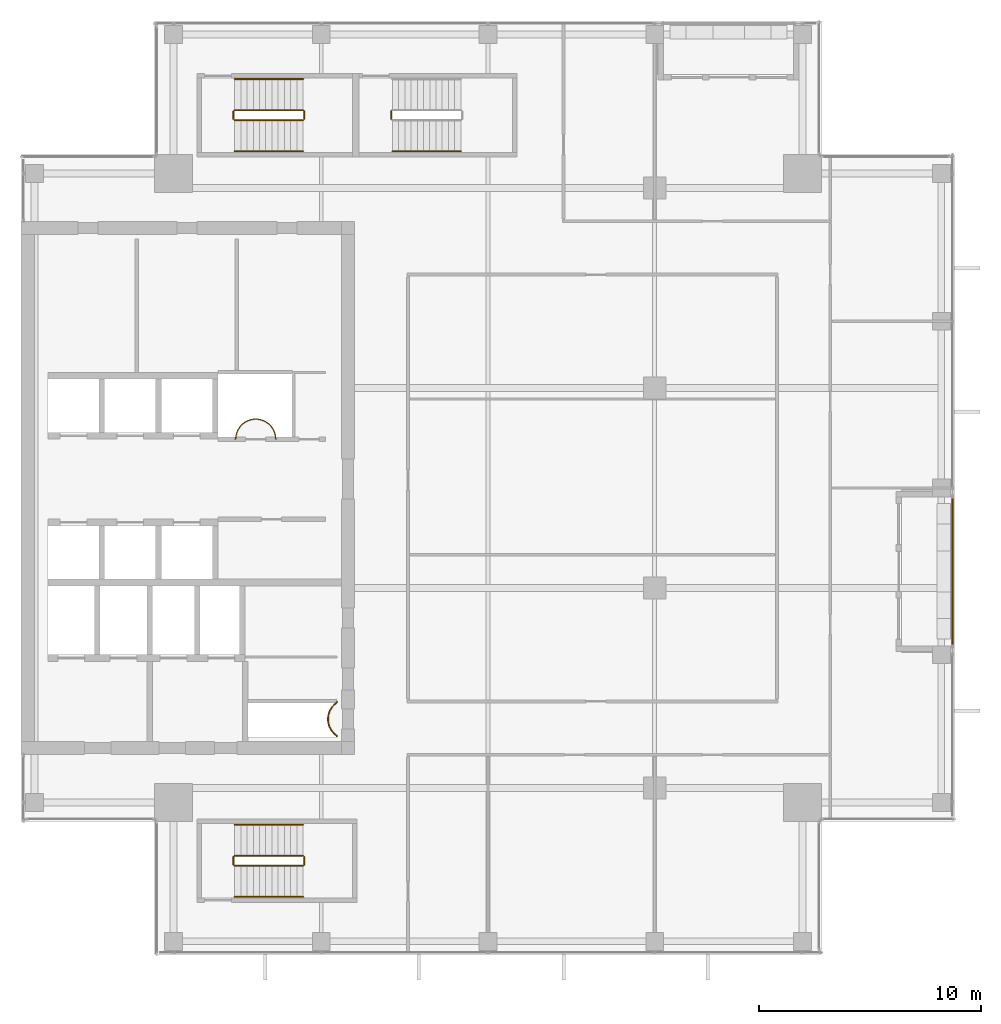
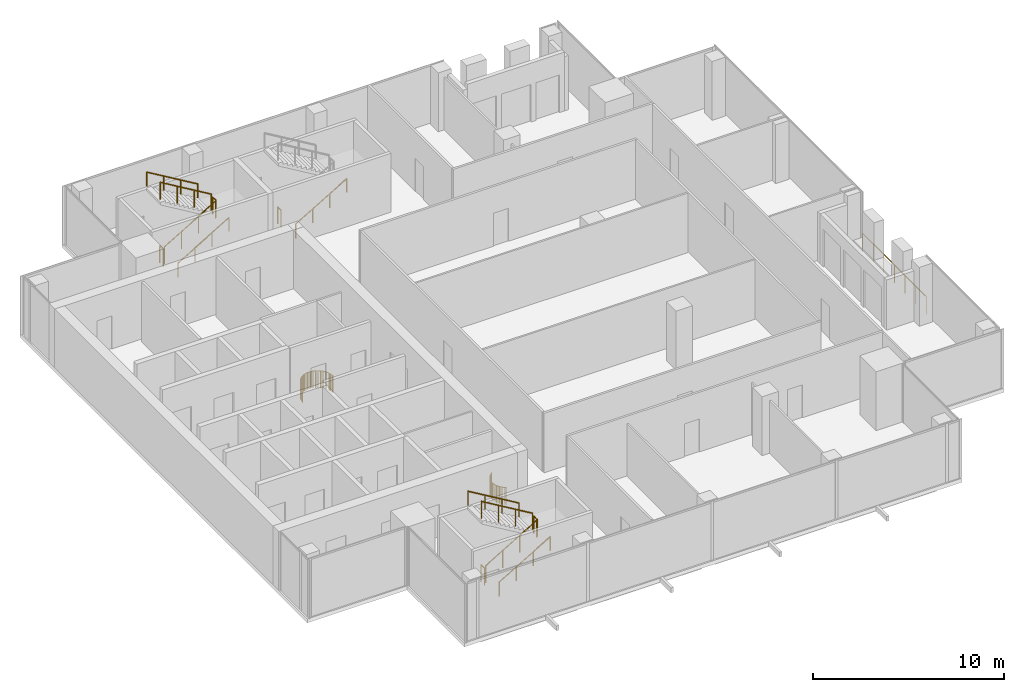
# One storey, part 27 of 29: 17 railings.
"""IFC4 building model written with IfcOpenShell, lengths in metres."""

from ifc_helpers import new_model, si_unit, direction, frame, origin, origin_2d, place, context, subcontext, project, spatial, circle, extrude, source, transform, mapped, material, type_object, element, save


model = new_model("IFC4")

# Units and contexts
model_context = context("Model", 3, precision=1e-05, world=origin(), true_north=direction((0.0, 1.0)))
body_context = subcontext(model_context, "Body", "Model", "MODEL_VIEW")
ifc_project = project(units=[si_unit("LENGTHUNIT", "METRE"), si_unit("AREAUNIT", "SQUARE_METRE"), si_unit("VOLUMEUNIT", "CUBIC_METRE"), si_unit("PLANEANGLEUNIT", "RADIAN"), si_unit("MASSUNIT", "GRAM", prefix="KILO")], contexts=[model_context])

# Site, building, storey
site_placement = place(None, origin())
site = spatial("IfcSite", under=ifc_project, at=site_placement, CompositionType="ELEMENT")
building_placement = place(site_placement, origin())
building = spatial("IfcBuilding", under=site, at=building_placement, Name="Khomas Fold Tower", CompositionType="ELEMENT")
storey_placement = place(building_placement, frame((0.0, 0.0, 286.199951171875)))
storey = spatial("IfcBuildingStorey", under=building, at=storey_placement, Name="L64", CompositionType="ELEMENT", Elevation=286.199951171875)

# Railings
ifc_material_1 = material(Name="Powder-coated steel", Category="steel")
railing_type_1 = type_object("IfcRailingType", Name="Balcony guard", PredefinedType="GUARDRAIL", material=ifc_material_1)
shared_shape_1 = source(origin(), body_context, "Body", "SweptSolid", [
    extrude(circle(Radius=0.02490234375, at=origin_2d()), frame((0.0, 0.0, 1.125), z_axis=(0.0, 1.0, 0.0), x_axis=(-1.0, 0.0, 0.0)), (0.0, 0.0, 1.0), 6.64013671875),
    extrude(circle(Radius=0.02001953125, at=origin_2d()), origin(), (0.0, 0.0, 1.0), 1.099853515625),
    extrude(circle(Radius=0.02001953125, at=origin_2d()), frame((0.0, 1.106689453125, 0.0)), (0.0, 0.0, 1.0), 1.099853515625),
    extrude(circle(Radius=0.02001953125, at=origin_2d()), frame((0.0, 2.21337890625, 0.0)), (0.0, 0.0, 1.0), 1.099853515625),
    extrude(circle(Radius=0.02001953125, at=origin_2d()), frame((0.0, 3.320068359375, 0.0)), (0.0, 0.0, 1.0), 1.099853515625),
    extrude(circle(Radius=0.02001953125, at=origin_2d()), frame((0.0, 4.4267578125, 0.0)), (0.0, 0.0, 1.0), 1.099853515625),
    extrude(circle(Radius=0.02001953125, at=origin_2d()), frame((0.0, 5.533447265625, 0.0)), (0.0, 0.0, 1.0), 1.099853515625),
    extrude(circle(Radius=0.02001953125, at=origin_2d()), frame((0.0, 6.64013671875, 0.0)), (0.0, 0.0, 1.0), 1.099853515625),
])
railing_1_placement = place(storey_placement, frame((47.89990234375, 19.929931640625, -0.044921875)))
element("IfcRailing", 1, at=railing_1_placement, inside=storey, type_object=railing_type_1, Name="Balcony guard BAL-L64-E2", PredefinedType="GUARDRAIL", context=body_context, shape_type="MappedRepresentation", body=[
    mapped(shared_shape_1, transform((0.0, 0.0, 0.0))),
])
ifc_material_2 = material(Name="Steel balustrade", Category="steel")
railing_type_2 = type_object("IfcRailingType", Name="Stair guard", PredefinedType="GUARDRAIL", material=ifc_material_2)
shared_shape_2 = source(origin(), body_context, "Body", "SweptSolid", [
    extrude(circle(Radius=0.02392578125, at=origin_2d()), frame((0.0, 0.0, 1.076171875), z_axis=(0.0, 1.0, 0.0), x_axis=(-1.0, 0.0, 0.0)), (0.0, 0.0, 1.0), 0.349853515625),
    extrude(circle(Radius=0.02099609375, at=origin_2d()), origin(), (0.0, 0.0, 1.0), 1.052001953125),
    extrude(circle(Radius=0.02099609375, at=origin_2d()), frame((0.0, 0.349853515625, 0.0)), (0.0, 0.0, 1.0), 1.052001953125),
])
for number, where, name in (
    (2, (18.72998046875, 43.60009765625, 2.0), "L64 ST1 stair guard 2"),
    (3, (15.550048828125, 43.60009765625, 0.0), "L64 ST1 stair guard 4"),
    (4, (18.72998046875, 10.050048828125, 2.0), "L64 ST2 stair guard 2"),
    (5, (15.550048828125, 10.050048828125, 0.0), "L64 ST2 stair guard 4"),
    (6, (22.64990234375, 43.60009765625, 0.0), "L64 ST3 stair guard 4"),
):
    element("IfcRailing", number, at=place(storey_placement, frame(where)), inside=storey, type_object=railing_type_2, Name=name, PredefinedType="GUARDRAIL", context=body_context, shape_type="MappedRepresentation", body=[
        mapped(shared_shape_2, transform((0.0, 0.0, 0.0))),
    ])
shared_shape_3 = source(origin(), body_context, "Body", "SweptSolid", [
    extrude(circle(Radius=0.02392578125, at=origin_2d()), frame((0.0, 0.0, 1.076171875), z_axis=(0.859290745958, 0.0, 0.51148745235), x_axis=(0.0, 1.0, 0.0)), (0.0, 0.0, 1.0), 3.584228515625),
    extrude(circle(Radius=0.02099609375, at=origin_2d()), origin(), (0.0, 0.0, 1.0), 1.052001953125),
    extrude(circle(Radius=0.02099609375, at=origin_2d()), frame((1.026611328125, 0.0, 0.611083984375)), (0.0, 0.0, 1.0), 1.052001953125),
    extrude(circle(Radius=0.02099609375, at=origin_2d()), frame((2.05322265625, 0.0, 1.22216796875)), (0.0, 0.0, 1.0), 1.052001953125),
    extrude(circle(Radius=0.02099609375, at=origin_2d()), frame((3.079833984375, 0.0, 1.833251953125)), (0.0, 0.0, 1.0), 1.052001953125),
])
for number, where, name in (
    (7, (15.60009765625, 43.550048828125, 0.166748046875), "L64 ST1 stair guard 1"),
    (8, (15.60009765625, 10.0, 0.166748046875), "L64 ST2 stair guard 1"),
):
    element("IfcRailing", number, at=place(storey_placement, frame(where)), inside=storey, type_object=railing_type_2, Name=name, PredefinedType="GUARDRAIL", context=body_context, shape_type="MappedRepresentation", body=[
        mapped(shared_shape_3, transform((0.0, 0.0, 0.0))),
    ])
shared_shape_4 = source(origin(), body_context, "Body", "SweptSolid", [
    extrude(circle(Radius=0.02392578125, at=origin_2d()), frame((0.0, 0.0, 1.076171875), z_axis=(-0.859290745958, 0.0, 0.51148745235), x_axis=(0.0, -1.0, 0.0)), (0.0, 0.0, 1.0), 3.584228515625),
    extrude(circle(Radius=0.02099609375, at=origin_2d()), origin(), (0.0, 0.0, 1.0), 1.052001953125),
    extrude(circle(Radius=0.02099609375, at=origin_2d()), frame((-1.026611328125, 0.0, 0.611083984375)), (0.0, 0.0, 1.0), 1.052001953125),
    extrude(circle(Radius=0.02099609375, at=origin_2d()), frame((-2.05322265625, 0.0, 1.22216796875)), (0.0, 0.0, 1.0), 1.052001953125),
    extrude(circle(Radius=0.02099609375, at=origin_2d()), frame((-3.079833984375, 0.0, 1.833251953125)), (0.0, 0.0, 1.0), 1.052001953125),
])
for number, where, name in (
    (9, (18.679931640625, 44.0, 2.166748046875), "L64 ST1 stair guard 3"),
    (10, (18.679931640625, 10.449951171875, 2.166748046875), "L64 ST2 stair guard 3"),
):
    element("IfcRailing", number, at=place(storey_placement, frame(where)), inside=storey, type_object=railing_type_2, Name=name, PredefinedType="GUARDRAIL", context=body_context, shape_type="MappedRepresentation", body=[
        mapped(shared_shape_4, transform((0.0, 0.0, 0.0))),
    ])
ifc_material_3 = material(Name="Steel handrail", Category="steel")
railing_type_3 = type_object("IfcRailingType", Name="Stair handrail", PredefinedType="HANDRAIL", material=ifc_material_3)
shared_shape_5 = source(origin(), body_context, "Body", "SweptSolid", [
    extrude(circle(Radius=0.02392578125, at=origin_2d()), frame((0.0, 0.0, 0.8759765625), z_axis=(0.859290745958, 0.0, 0.51148745235), x_axis=(0.0, 1.0, 0.0)), (0.0, 0.0, 1.0), 3.584228515625),
    extrude(circle(Radius=0.02099609375, at=origin_2d()), origin(), (0.0, 0.0, 1.0), 0.851806640625),
    extrude(circle(Radius=0.02099609375, at=origin_2d()), frame((1.026611328125, 0.0, 0.611083984375)), (0.0, 0.0, 1.0), 0.851806640625),
    extrude(circle(Radius=0.02099609375, at=origin_2d()), frame((2.05322265625, 0.0, 1.22216796875)), (0.0, 0.0, 1.0), 0.851806640625),
    extrude(circle(Radius=0.02099609375, at=origin_2d()), frame((3.079833984375, 0.0, 1.833251953125)), (0.0, 0.0, 1.0), 0.851806640625),
])
for number, where, name in (
    (11, (15.60009765625, 42.14990234375, 0.166748046875), "L64 ST1 stair handrail 1"),
    (12, (15.60009765625, 8.60009765625, 0.166748046875), "L64 ST2 stair handrail 1"),
):
    element("IfcRailing", number, at=place(storey_placement, frame(where)), inside=storey, type_object=railing_type_3, Name=name, PredefinedType="HANDRAIL", context=body_context, shape_type="MappedRepresentation", body=[
        mapped(shared_shape_5, transform((0.0, 0.0, 0.0))),
    ])
shared_shape_6 = source(origin(), body_context, "Body", "SweptSolid", [
    extrude(circle(Radius=0.02392578125, at=origin_2d()), frame((0.0, 0.0, 0.8759765625), z_axis=(-0.859290745958, 0.0, 0.51148745235), x_axis=(0.0, -1.0, 0.0)), (0.0, 0.0, 1.0), 3.584228515625),
    extrude(circle(Radius=0.02099609375, at=origin_2d()), origin(), (0.0, 0.0, 1.0), 0.851806640625),
    extrude(circle(Radius=0.02099609375, at=origin_2d()), frame((-1.026611328125, 0.0, 0.611083984375)), (0.0, 0.0, 1.0), 0.851806640625),
    extrude(circle(Radius=0.02099609375, at=origin_2d()), frame((-2.05322265625, 0.0, 1.22216796875)), (0.0, 0.0, 1.0), 0.851806640625),
    extrude(circle(Radius=0.02099609375, at=origin_2d()), frame((-3.079833984375, 0.0, 1.833251953125)), (0.0, 0.0, 1.0), 0.851806640625),
])
for number, where, name in (
    (13, (18.679931640625, 45.39990234375, 2.166748046875), "L64 ST1 stair handrail 2"),
    (14, (18.679931640625, 11.85009765625, 2.166748046875), "L64 ST2 stair handrail 2"),
):
    element("IfcRailing", number, at=place(storey_placement, frame(where)), inside=storey, type_object=railing_type_3, Name=name, PredefinedType="HANDRAIL", context=body_context, shape_type="MappedRepresentation", body=[
        mapped(shared_shape_6, transform((0.0, 0.0, 0.0))),
    ])
shared_shape_7 = source(origin(), body_context, "Body", "SweptSolid", [
    extrude(circle(Radius=0.02392578125, at=origin_2d()), frame((0.0, 0.0, 0.8759765625), z_axis=(0.859308565015, 0.0, 0.511457515432), x_axis=(0.0, 1.0, 0.0)), (0.0, 0.0, 1.0), 3.58447265625),
    extrude(circle(Radius=0.02099609375, at=origin_2d()), origin(), (0.0, 0.0, 1.0), 0.851806640625),
    extrude(circle(Radius=0.02099609375, at=origin_2d()), frame((1.026611328125, 0.0, 0.611083984375)), (0.0, 0.0, 1.0), 0.851806640625),
    extrude(circle(Radius=0.02099609375, at=origin_2d()), frame((2.053466796875, 0.0, 1.22216796875)), (0.0, 0.0, 1.0), 0.851806640625),
    extrude(circle(Radius=0.02099609375, at=origin_2d()), frame((3.080078125, 0.0, 1.833251953125)), (0.0, 0.0, 1.0), 0.851806640625),
])
railing_2_placement = place(storey_placement, frame((22.699951171875, 42.14990234375, 0.166748046875)))
element("IfcRailing", 15, at=railing_2_placement, inside=storey, type_object=railing_type_3, Name="L64 ST3 stair handrail 1", PredefinedType="HANDRAIL", context=body_context, shape_type="MappedRepresentation", body=[
    mapped(shared_shape_7, transform((0.0, 0.0, 0.0))),
])
ifc_material_4 = material(Name="Steel balustrade", Category="steel")
railing_type_4 = type_object("IfcRailingType", Name="Shaft guard", PredefinedType="GUARDRAIL", material=ifc_material_4)
shared_shape_8 = source(origin(), body_context, "Body", "SweptSolid", [
    extrude(circle(Radius=0.02490234375, at=origin_2d()), frame((0.0, 0.0, 1.0751953125), z_axis=(0.0, -1.0, 0.0), x_axis=(1.0, 0.0, 0.0)), (0.0, 0.0, 1.0), 0.034912109375),
    extrude(circle(Radius=0.02490234375, at=origin_2d()), frame((0.0, -0.034912109375, 1.0751953125), z_axis=(-0.802970227885, -0.596019138224, 0.0), x_axis=(0.596019138224, -0.802970227885, 0.0)), (0.0, 0.0, 1.0), 0.08837890625),
    extrude(circle(Radius=0.02490234375, at=origin_2d()), frame((-0.071044921875, -0.087646484375, 1.0751953125), z_axis=(-0.739563952942, -0.673086294251, 0.0), x_axis=(0.673086294251, -0.739563952942, 0.0)), (0.0, 0.0, 1.0), 0.088134765625),
    extrude(circle(Radius=0.02490234375, at=origin_2d()), frame((-0.13623046875, -0.14697265625, 1.0751953125), z_axis=(-0.671709119666, -0.740814996175, 0.0), x_axis=(0.740814996175, -0.671709119666, 0.0)), (0.0, 0.0, 1.0), 0.08837890625),
    extrude(circle(Radius=0.02490234375, at=origin_2d()), frame((-0.195556640625, -0.21240234375, 1.0751953125), z_axis=(-0.597341843489, -0.801986734315, 0.0), x_axis=(0.801986734315, -0.597341843489, 0.0)), (0.0, 0.0, 1.0), 0.08837890625),
    extrude(circle(Radius=0.02490234375, at=origin_2d()), frame((-0.248291015625, -0.283203125, 1.0751953125), z_axis=(-0.514495755428, -0.857492925713, 0.0), x_axis=(0.857492925713, -0.514495755428, 0.0)), (0.0, 0.0, 1.0), 0.08837890625),
    extrude(circle(Radius=0.02490234375, at=origin_2d()), frame((-0.293701171875, -0.35888671875, 1.0751953125), z_axis=(-0.427256721383, -0.904130352346, 0.0), x_axis=(0.904130352346, -0.427256721383, 0.0)), (0.0, 0.0, 1.0), 0.088623046875),
    extrude(circle(Radius=0.02490234375, at=origin_2d()), frame((-0.33154296875, -0.43896484375, 1.0751953125), z_axis=(-0.335282981086, -0.942117467514, 0.0), x_axis=(0.942117467514, -0.335282981086, 0.0)), (0.0, 0.0, 1.0), 0.088134765625),
    extrude(circle(Radius=0.02490234375, at=origin_2d()), frame((-0.361083984375, -0.52197265625, 1.0751953125), z_axis=(-0.243185799972, -0.969979724887, 0.0), x_axis=(0.969979724887, -0.243185799972, 0.0)), (0.0, 0.0, 1.0), 0.08837890625),
    extrude(circle(Radius=0.02490234375, at=origin_2d()), frame((-0.382568359375, -0.607666015625, 1.0751953125), z_axis=(-0.149150785005, -0.988814463553, 0.0), x_axis=(0.988814463553, -0.149150785005, 0.0)), (0.0, 0.0, 1.0), 0.08837890625),
    extrude(circle(Radius=0.02490234375, at=origin_2d()), frame((-0.395751953125, -0.695068359375, 1.0751953125), z_axis=(-0.047039284441, -0.99889304018, 0.0), x_axis=(0.99889304018, -0.047039284441, 0.0)), (0.0, 0.0, 1.0), 0.088134765625),
    extrude(circle(Radius=0.02490234375, at=origin_2d()), frame((-0.39990234375, -0.783203125, 1.0751953125), z_axis=(0.046909628002, -0.998899137451, 0.0), x_axis=(0.998899137451, 0.046909628002, 0.0)), (0.0, 0.0, 1.0), 0.08837890625),
    extrude(circle(Radius=0.02490234375, at=origin_2d()), frame((-0.395751953125, -0.87158203125, 1.0751953125), z_axis=(0.149150785005, -0.988814463553, 0.0), x_axis=(0.988814463553, 0.149150785005, 0.0)), (0.0, 0.0, 1.0), 0.08837890625),
    extrude(circle(Radius=0.02490234375, at=origin_2d()), frame((-0.382568359375, -0.958984375, 1.0751953125), z_axis=(0.243185799972, -0.969979724887, 0.0), x_axis=(0.969979724887, 0.243185799972, 0.0)), (0.0, 0.0, 1.0), 0.08837890625),
    extrude(circle(Radius=0.02490234375, at=origin_2d()), frame((-0.361083984375, -1.044677734375, 1.0751953125), z_axis=(0.335282981086, -0.942117467514, 0.0), x_axis=(0.942117467514, 0.335282981086, 0.0)), (0.0, 0.0, 1.0), 0.088134765625),
    extrude(circle(Radius=0.02490234375, at=origin_2d()), frame((-0.33154296875, -1.127685546875, 1.0751953125), z_axis=(0.428323905606, -0.903625271828, 0.0), x_axis=(0.903625271828, 0.428323905606, 0.0)), (0.0, 0.0, 1.0), 0.08837890625),
    extrude(circle(Radius=0.02490234375, at=origin_2d()), frame((-0.293701171875, -1.20751953125, 1.0751953125), z_axis=(0.514495755428, -0.857492925713, 0.0), x_axis=(0.857492925713, 0.514495755428, 0.0)), (0.0, 0.0, 1.0), 0.08837890625),
    extrude(circle(Radius=0.02490234375, at=origin_2d()), frame((-0.248291015625, -1.283203125, 1.0751953125), z_axis=(0.596019138224, -0.802970227885, 0.0), x_axis=(0.802970227885, 0.596019138224, 0.0)), (0.0, 0.0, 1.0), 0.08837890625),
    extrude(circle(Radius=0.02490234375, at=origin_2d()), frame((-0.195556640625, -1.354248046875, 1.0751953125), z_axis=(0.671709119666, -0.740814996175, 0.0), x_axis=(0.740814996175, 0.671709119666, 0.0)), (0.0, 0.0, 1.0), 0.08837890625),
    extrude(circle(Radius=0.02490234375, at=origin_2d()), frame((-0.13623046875, -1.419677734375, 1.0751953125), z_axis=(0.739563952942, -0.673086294251, 0.0), x_axis=(0.673086294251, 0.739563952942, 0.0)), (0.0, 0.0, 1.0), 0.088134765625),
    extrude(circle(Radius=0.02490234375, at=origin_2d()), frame((-0.071044921875, -1.47900390625, 1.0751953125), z_axis=(0.804291006819, -0.594235623595, 0.0), x_axis=(0.594235623595, 0.804291006819, 0.0)), (0.0, 0.0, 1.0), 0.08837890625),
    extrude(circle(Radius=0.02490234375, at=origin_2d()), frame((0.0, -1.531494140625, 1.0751953125), z_axis=(0.0, -1.0, 0.0), x_axis=(1.0, 0.0, 0.0)), (0.0, 0.0, 1.0), 0.03515625),
    extrude(circle(Radius=0.02001953125, at=origin_2d()), origin(), (0.0, 0.0, 1.0), 1.050048828125),
    extrude(circle(Radius=0.02001953125, at=origin_2d()), frame((0.0, -0.034912109375, 0.0)), (0.0, 0.0, 1.0), 1.050048828125),
    extrude(circle(Radius=0.02001953125, at=origin_2d()), frame((-0.071044921875, -0.087646484375, 0.0)), (0.0, 0.0, 1.0), 1.050048828125),
    extrude(circle(Radius=0.02001953125, at=origin_2d()), frame((-0.13623046875, -0.14697265625, 0.0)), (0.0, 0.0, 1.0), 1.050048828125),
    extrude(circle(Radius=0.02001953125, at=origin_2d()), frame((-0.195556640625, -0.21240234375, 0.0)), (0.0, 0.0, 1.0), 1.050048828125),
    extrude(circle(Radius=0.02001953125, at=origin_2d()), frame((-0.248291015625, -0.283203125, 0.0)), (0.0, 0.0, 1.0), 1.050048828125),
    extrude(circle(Radius=0.02001953125, at=origin_2d()), frame((-0.293701171875, -0.35888671875, 0.0)), (0.0, 0.0, 1.0), 1.050048828125),
    extrude(circle(Radius=0.02001953125, at=origin_2d()), frame((-0.33154296875, -0.43896484375, 0.0)), (0.0, 0.0, 1.0), 1.050048828125),
    extrude(circle(Radius=0.02001953125, at=origin_2d()), frame((-0.361083984375, -0.52197265625, 0.0)), (0.0, 0.0, 1.0), 1.050048828125),
    extrude(circle(Radius=0.02001953125, at=origin_2d()), frame((-0.382568359375, -0.607666015625, 0.0)), (0.0, 0.0, 1.0), 1.050048828125),
    extrude(circle(Radius=0.02001953125, at=origin_2d()), frame((-0.395751953125, -0.695068359375, 0.0)), (0.0, 0.0, 1.0), 1.050048828125),
    extrude(circle(Radius=0.02001953125, at=origin_2d()), frame((-0.39990234375, -0.783203125, 0.0)), (0.0, 0.0, 1.0), 1.050048828125),
    extrude(circle(Radius=0.02001953125, at=origin_2d()), frame((-0.395751953125, -0.87158203125, 0.0)), (0.0, 0.0, 1.0), 1.050048828125),
    extrude(circle(Radius=0.02001953125, at=origin_2d()), frame((-0.382568359375, -0.958984375, 0.0)), (0.0, 0.0, 1.0), 1.050048828125),
    extrude(circle(Radius=0.02001953125, at=origin_2d()), frame((-0.361083984375, -1.044677734375, 0.0)), (0.0, 0.0, 1.0), 1.050048828125),
    extrude(circle(Radius=0.02001953125, at=origin_2d()), frame((-0.33154296875, -1.127685546875, 0.0)), (0.0, 0.0, 1.0), 1.050048828125),
    extrude(circle(Radius=0.02001953125, at=origin_2d()), frame((-0.293701171875, -1.20751953125, 0.0)), (0.0, 0.0, 1.0), 1.050048828125),
    extrude(circle(Radius=0.02001953125, at=origin_2d()), frame((-0.248291015625, -1.283203125, 0.0)), (0.0, 0.0, 1.0), 1.050048828125),
    extrude(circle(Radius=0.02001953125, at=origin_2d()), frame((-0.195556640625, -1.354248046875, 0.0)), (0.0, 0.0, 1.0), 1.050048828125),
    extrude(circle(Radius=0.02001953125, at=origin_2d()), frame((-0.13623046875, -1.419677734375, 0.0)), (0.0, 0.0, 1.0), 1.050048828125),
    extrude(circle(Radius=0.02001953125, at=origin_2d()), frame((-0.071044921875, -1.47900390625, 0.0)), (0.0, 0.0, 1.0), 1.050048828125),
    extrude(circle(Radius=0.02001953125, at=origin_2d()), frame((0.0, -1.531494140625, 0.0)), (0.0, 0.0, 1.0), 1.050048828125),
    extrude(circle(Radius=0.02001953125, at=origin_2d()), frame((0.0, -1.566650390625, 0.0)), (0.0, 0.0, 1.0), 1.050048828125),
])
railing_3_placement = place(storey_placement, frame((20.199951171875, 17.38330078125, 0.0)))
element("IfcRailing", 16, at=railing_3_placement, inside=storey, type_object=railing_type_4, Name="Shaft guard L64 1", PredefinedType="GUARDRAIL", context=body_context, shape_type="MappedRepresentation", body=[
    mapped(shared_shape_8, transform((0.0, 0.0, 0.0))),
])
shared_shape_9 = source(origin(), body_context, "Body", "SweptSolid", [
    extrude(circle(Radius=0.02490234375, at=origin_2d()), frame((0.0, 0.0, 1.0751953125), z_axis=(-1.0, 0.0, 0.0), x_axis=(0.0, -1.0, 0.0)), (0.0, 0.0, 1.0), 0.030029296875),
    extrude(circle(Radius=0.02490234375, at=origin_2d()), frame((-0.030029296875, 0.0, 1.0751953125), z_axis=(-0.047039284441, 0.99889304018, 0.0), x_axis=(-0.99889304018, -0.047039284441, 0.0)), (0.0, 0.0, 1.0), 0.088134765625),
    extrude(circle(Radius=0.02490234375, at=origin_2d()), frame((-0.0341796875, 0.088134765625, 1.0751953125), z_axis=(-0.149150785005, 0.988814463553, 0.0), x_axis=(-0.988814463553, -0.149150785005, 0.0)), (0.0, 0.0, 1.0), 0.08837890625),
    extrude(circle(Radius=0.02490234375, at=origin_2d()), frame((-0.04736328125, 0.175537109375, 1.0751953125), z_axis=(-0.243185799972, 0.969979724887, 0.0), x_axis=(-0.969979724887, -0.243185799972, 0.0)), (0.0, 0.0, 1.0), 0.08837890625),
    extrude(circle(Radius=0.02490234375, at=origin_2d()), frame((-0.06884765625, 0.26123046875, 1.0751953125), z_axis=(-0.334409845171, 0.942427745481, 0.0), x_axis=(-0.942427745481, -0.334409845171, 0.0)), (0.0, 0.0, 1.0), 0.08837890625),
    extrude(circle(Radius=0.02490234375, at=origin_2d()), frame((-0.098388671875, 0.344482421875, 1.0751953125), z_axis=(-0.428323905606, 0.903625271828, 0.0), x_axis=(-0.903625271828, -0.428323905606, 0.0)), (0.0, 0.0, 1.0), 0.08837890625),
    extrude(circle(Radius=0.02490234375, at=origin_2d()), frame((-0.13623046875, 0.42431640625, 1.0751953125), z_axis=(-0.514495755428, 0.857492925713, 0.0), x_axis=(-0.857492925713, -0.514495755428, 0.0)), (0.0, 0.0, 1.0), 0.08837890625),
    extrude(circle(Radius=0.02490234375, at=origin_2d()), frame((-0.181640625, 0.5, 1.0751953125), z_axis=(-0.596019138224, 0.802970227885, 0.0), x_axis=(-0.802970227885, -0.596019138224, 0.0)), (0.0, 0.0, 1.0), 0.08837890625),
    extrude(circle(Radius=0.02490234375, at=origin_2d()), frame((-0.234375, 0.571044921875, 1.0751953125), z_axis=(-0.671709119666, 0.740814996175, 0.0), x_axis=(-0.740814996175, -0.671709119666, 0.0)), (0.0, 0.0, 1.0), 0.08837890625),
    extrude(circle(Radius=0.02490234375, at=origin_2d()), frame((-0.293701171875, 0.636474609375, 1.0751953125), z_axis=(-0.739563952942, 0.673086294251, 0.0), x_axis=(-0.673086294251, -0.739563952942, 0.0)), (0.0, 0.0, 1.0), 0.088134765625),
    extrude(circle(Radius=0.02490234375, at=origin_2d()), frame((-0.35888671875, 0.69580078125, 1.0751953125), z_axis=(-0.804291006819, 0.594235623595, 0.0), x_axis=(-0.594235623595, -0.804291006819, 0.0)), (0.0, 0.0, 1.0), 0.08837890625),
    extrude(circle(Radius=0.02490234375, at=origin_2d()), frame((-0.429931640625, 0.748291015625, 1.0751953125), z_axis=(-0.857492925713, 0.514495755428, 0.0), x_axis=(-0.514495755428, -0.857492925713, 0.0)), (0.0, 0.0, 1.0), 0.08837890625),
    extrude(circle(Radius=0.02490234375, at=origin_2d()), frame((-0.505615234375, 0.793701171875, 1.0751953125), z_axis=(-0.904130352346, 0.427256721383, 0.0), x_axis=(-0.427256721383, -0.904130352346, 0.0)), (0.0, 0.0, 1.0), 0.088623046875),
    extrude(circle(Radius=0.02490234375, at=origin_2d()), frame((-0.585693359375, 0.83154296875, 1.0751953125), z_axis=(-0.941239807302, 0.337738989679, 0.0), x_axis=(-0.337738989679, -0.941239807302, 0.0)), (0.0, 0.0, 1.0), 0.088134765625),
    extrude(circle(Radius=0.02490234375, at=origin_2d()), frame((-0.668701171875, 0.861328125, 1.0751953125), z_axis=(-0.969979724887, 0.243185799972, 0.0), x_axis=(-0.243185799972, -0.969979724887, 0.0)), (0.0, 0.0, 1.0), 0.08837890625),
    extrude(circle(Radius=0.02490234375, at=origin_2d()), frame((-0.75439453125, 0.8828125, 1.0751953125), z_axis=(-0.989218293148, 0.146448518259, 0.0), x_axis=(-0.146448518259, -0.989218293148, 0.0)), (0.0, 0.0, 1.0), 0.08837890625),
    extrude(circle(Radius=0.02490234375, at=origin_2d()), frame((-0.841796875, 0.895751953125, 1.0751953125), z_axis=(-0.998759228712, 0.049799629132, 0.0), x_axis=(-0.049799629132, -0.998759228712, 0.0)), (0.0, 0.0, 1.0), 0.088134765625),
    extrude(circle(Radius=0.02490234375, at=origin_2d()), frame((-0.929931640625, 0.900146484375, 1.0751953125), z_axis=(-0.998759228712, -0.049799629132, 0.0), x_axis=(0.049799629132, -0.998759228712, 0.0)), (0.0, 0.0, 1.0), 0.088134765625),
    extrude(circle(Radius=0.02490234375, at=origin_2d()), frame((-1.01806640625, 0.895751953125, 1.0751953125), z_axis=(-0.989218293148, -0.146448518259, 0.0), x_axis=(0.146448518259, -0.989218293148, 0.0)), (0.0, 0.0, 1.0), 0.08837890625),
    extrude(circle(Radius=0.02490234375, at=origin_2d()), frame((-1.10546875, 0.8828125, 1.0751953125), z_axis=(-0.969979724887, -0.243185799972, 0.0), x_axis=(0.243185799972, -0.969979724887, 0.0)), (0.0, 0.0, 1.0), 0.08837890625),
    extrude(circle(Radius=0.02490234375, at=origin_2d()), frame((-1.191162109375, 0.861328125, 1.0751953125), z_axis=(-0.941554356589, -0.336861089454, 0.0), x_axis=(0.336861089454, -0.941554356589, 0.0)), (0.0, 0.0, 1.0), 0.08837890625),
    extrude(circle(Radius=0.02490234375, at=origin_2d()), frame((-1.2744140625, 0.83154296875, 1.0751953125), z_axis=(-0.903625271828, -0.428323905606, 0.0), x_axis=(0.428323905606, -0.903625271828, 0.0)), (0.0, 0.0, 1.0), 0.08837890625),
    extrude(circle(Radius=0.02490234375, at=origin_2d()), frame((-1.354248046875, 0.793701171875, 1.0751953125), z_axis=(-0.857492925713, -0.514495755428, 0.0), x_axis=(0.514495755428, -0.857492925713, 0.0)), (0.0, 0.0, 1.0), 0.08837890625),
    extrude(circle(Radius=0.02490234375, at=origin_2d()), frame((-1.429931640625, 0.748291015625, 1.0751953125), z_axis=(-0.804291006819, -0.594235623595, 0.0), x_axis=(0.594235623595, -0.804291006819, 0.0)), (0.0, 0.0, 1.0), 0.08837890625),
    extrude(circle(Radius=0.02490234375, at=origin_2d()), frame((-1.5009765625, 0.69580078125, 1.0751953125), z_axis=(-0.740814996175, -0.671709119666, 0.0), x_axis=(0.671709119666, -0.740814996175, 0.0)), (0.0, 0.0, 1.0), 0.08837890625),
    extrude(circle(Radius=0.02490234375, at=origin_2d()), frame((-1.56640625, 0.636474609375, 1.0751953125), z_axis=(-0.671709119666, -0.740814996175, 0.0), x_axis=(0.740814996175, -0.671709119666, 0.0)), (0.0, 0.0, 1.0), 0.08837890625),
    extrude(circle(Radius=0.02490234375, at=origin_2d()), frame((-1.625732421875, 0.571044921875, 1.0751953125), z_axis=(-0.594235623595, -0.804291006819, 0.0), x_axis=(0.804291006819, -0.594235623595, 0.0)), (0.0, 0.0, 1.0), 0.08837890625),
    extrude(circle(Radius=0.02490234375, at=origin_2d()), frame((-1.67822265625, 0.5, 1.0751953125), z_axis=(-0.514495755428, -0.857492925713, 0.0), x_axis=(0.857492925713, -0.514495755428, 0.0)), (0.0, 0.0, 1.0), 0.08837890625),
    extrude(circle(Radius=0.02490234375, at=origin_2d()), frame((-1.7236328125, 0.42431640625, 1.0751953125), z_axis=(-0.428323905606, -0.903625271828, 0.0), x_axis=(0.903625271828, -0.428323905606, 0.0)), (0.0, 0.0, 1.0), 0.08837890625),
    extrude(circle(Radius=0.02490234375, at=origin_2d()), frame((-1.761474609375, 0.344482421875, 1.0751953125), z_axis=(-0.336861089454, -0.941554356589, 0.0), x_axis=(0.941554356589, -0.336861089454, 0.0)), (0.0, 0.0, 1.0), 0.08837890625),
    extrude(circle(Radius=0.02490234375, at=origin_2d()), frame((-1.791259765625, 0.26123046875, 1.0751953125), z_axis=(-0.243185799972, -0.969979724887, 0.0), x_axis=(0.969979724887, -0.243185799972, 0.0)), (0.0, 0.0, 1.0), 0.08837890625),
    extrude(circle(Radius=0.02490234375, at=origin_2d()), frame((-1.812744140625, 0.175537109375, 1.0751953125), z_axis=(-0.146448518259, -0.989218293148, 0.0), x_axis=(0.989218293148, -0.146448518259, 0.0)), (0.0, 0.0, 1.0), 0.08837890625),
    extrude(circle(Radius=0.02490234375, at=origin_2d()), frame((-1.82568359375, 0.088134765625, 1.0751953125), z_axis=(-0.049799629132, -0.998759228712, 0.0), x_axis=(0.998759228712, -0.049799629132, 0.0)), (0.0, 0.0, 1.0), 0.088134765625),
    extrude(circle(Radius=0.02490234375, at=origin_2d()), frame((-1.830078125, 0.0, 1.0751953125), z_axis=(-1.0, 0.0, 0.0), x_axis=(0.0, -1.0, 0.0)), (0.0, 0.0, 1.0), 0.02978515625),
    extrude(circle(Radius=0.02001953125, at=origin_2d()), origin(), (0.0, 0.0, 1.0), 1.050048828125),
    extrude(circle(Radius=0.02001953125, at=origin_2d()), frame((-0.030029296875, 0.0, 0.0)), (0.0, 0.0, 1.0), 1.050048828125),
    extrude(circle(Radius=0.02001953125, at=origin_2d()), frame((-0.0341796875, 0.088134765625, 0.0)), (0.0, 0.0, 1.0), 1.050048828125),
    extrude(circle(Radius=0.02001953125, at=origin_2d()), frame((-0.04736328125, 0.175537109375, 0.0)), (0.0, 0.0, 1.0), 1.050048828125),
    extrude(circle(Radius=0.02001953125, at=origin_2d()), frame((-0.06884765625, 0.26123046875, 0.0)), (0.0, 0.0, 1.0), 1.050048828125),
    extrude(circle(Radius=0.02001953125, at=origin_2d()), frame((-0.098388671875, 0.344482421875, 0.0)), (0.0, 0.0, 1.0), 1.050048828125),
    extrude(circle(Radius=0.02001953125, at=origin_2d()), frame((-0.13623046875, 0.42431640625, 0.0)), (0.0, 0.0, 1.0), 1.050048828125),
    extrude(circle(Radius=0.02001953125, at=origin_2d()), frame((-0.181640625, 0.5, 0.0)), (0.0, 0.0, 1.0), 1.050048828125),
    extrude(circle(Radius=0.02001953125, at=origin_2d()), frame((-0.234375, 0.571044921875, 0.0)), (0.0, 0.0, 1.0), 1.050048828125),
    extrude(circle(Radius=0.02001953125, at=origin_2d()), frame((-0.293701171875, 0.636474609375, 0.0)), (0.0, 0.0, 1.0), 1.050048828125),
    extrude(circle(Radius=0.02001953125, at=origin_2d()), frame((-0.35888671875, 0.69580078125, 0.0)), (0.0, 0.0, 1.0), 1.050048828125),
    extrude(circle(Radius=0.02001953125, at=origin_2d()), frame((-0.429931640625, 0.748291015625, 0.0)), (0.0, 0.0, 1.0), 1.050048828125),
    extrude(circle(Radius=0.02001953125, at=origin_2d()), frame((-0.505615234375, 0.793701171875, 0.0)), (0.0, 0.0, 1.0), 1.050048828125),
    extrude(circle(Radius=0.02001953125, at=origin_2d()), frame((-0.585693359375, 0.83154296875, 0.0)), (0.0, 0.0, 1.0), 1.050048828125),
    extrude(circle(Radius=0.02001953125, at=origin_2d()), frame((-0.668701171875, 0.861328125, 0.0)), (0.0, 0.0, 1.0), 1.050048828125),
    extrude(circle(Radius=0.02001953125, at=origin_2d()), frame((-0.75439453125, 0.8828125, 0.0)), (0.0, 0.0, 1.0), 1.050048828125),
    extrude(circle(Radius=0.02001953125, at=origin_2d()), frame((-0.841796875, 0.895751953125, 0.0)), (0.0, 0.0, 1.0), 1.050048828125),
    extrude(circle(Radius=0.02001953125, at=origin_2d()), frame((-0.929931640625, 0.900146484375, 0.0)), (0.0, 0.0, 1.0), 1.050048828125),
    extrude(circle(Radius=0.02001953125, at=origin_2d()), frame((-1.01806640625, 0.895751953125, 0.0)), (0.0, 0.0, 1.0), 1.050048828125),
    extrude(circle(Radius=0.02001953125, at=origin_2d()), frame((-1.10546875, 0.8828125, 0.0)), (0.0, 0.0, 1.0), 1.050048828125),
    extrude(circle(Radius=0.02001953125, at=origin_2d()), frame((-1.191162109375, 0.861328125, 0.0)), (0.0, 0.0, 1.0), 1.050048828125),
    extrude(circle(Radius=0.02001953125, at=origin_2d()), frame((-1.2744140625, 0.83154296875, 0.0)), (0.0, 0.0, 1.0), 1.050048828125),
    extrude(circle(Radius=0.02001953125, at=origin_2d()), frame((-1.354248046875, 0.793701171875, 0.0)), (0.0, 0.0, 1.0), 1.050048828125),
    extrude(circle(Radius=0.02001953125, at=origin_2d()), frame((-1.429931640625, 0.748291015625, 0.0)), (0.0, 0.0, 1.0), 1.050048828125),
    extrude(circle(Radius=0.02001953125, at=origin_2d()), frame((-1.5009765625, 0.69580078125, 0.0)), (0.0, 0.0, 1.0), 1.050048828125),
    extrude(circle(Radius=0.02001953125, at=origin_2d()), frame((-1.56640625, 0.636474609375, 0.0)), (0.0, 0.0, 1.0), 1.050048828125),
    extrude(circle(Radius=0.02001953125, at=origin_2d()), frame((-1.625732421875, 0.571044921875, 0.0)), (0.0, 0.0, 1.0), 1.050048828125),
    extrude(circle(Radius=0.02001953125, at=origin_2d()), frame((-1.67822265625, 0.5, 0.0)), (0.0, 0.0, 1.0), 1.050048828125),
    extrude(circle(Radius=0.02001953125, at=origin_2d()), frame((-1.7236328125, 0.42431640625, 0.0)), (0.0, 0.0, 1.0), 1.050048828125),
    extrude(circle(Radius=0.02001953125, at=origin_2d()), frame((-1.761474609375, 0.344482421875, 0.0)), (0.0, 0.0, 1.0), 1.050048828125),
    extrude(circle(Radius=0.02001953125, at=origin_2d()), frame((-1.791259765625, 0.26123046875, 0.0)), (0.0, 0.0, 1.0), 1.050048828125),
    extrude(circle(Radius=0.02001953125, at=origin_2d()), frame((-1.812744140625, 0.175537109375, 0.0)), (0.0, 0.0, 1.0), 1.050048828125),
    extrude(circle(Radius=0.02001953125, at=origin_2d()), frame((-1.82568359375, 0.088134765625, 0.0)), (0.0, 0.0, 1.0), 1.050048828125),
    extrude(circle(Radius=0.02001953125, at=origin_2d()), frame((-1.830078125, 0.0, 0.0)), (0.0, 0.0, 1.0), 1.050048828125),
    extrude(circle(Radius=0.02001953125, at=origin_2d()), frame((-1.85986328125, 0.0, 0.0)), (0.0, 0.0, 1.0), 1.050048828125),
])
railing_4_placement = place(storey_placement, frame((17.47998046875, 29.199951171875, 0.0)))
element("IfcRailing", 17, at=railing_4_placement, inside=storey, type_object=railing_type_4, Name="Shaft guard L64 2", PredefinedType="GUARDRAIL", context=body_context, shape_type="MappedRepresentation", body=[
    mapped(shared_shape_9, transform((0.0, 0.0, 0.0))),
])

save(model, "model.ifc")
